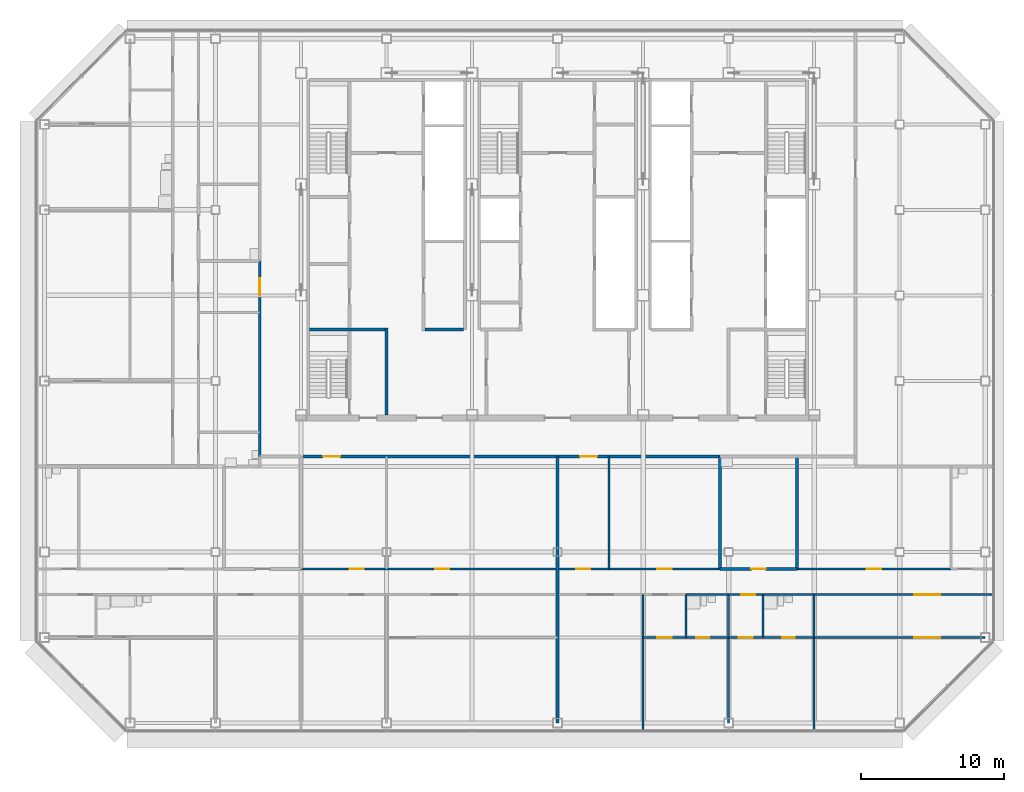
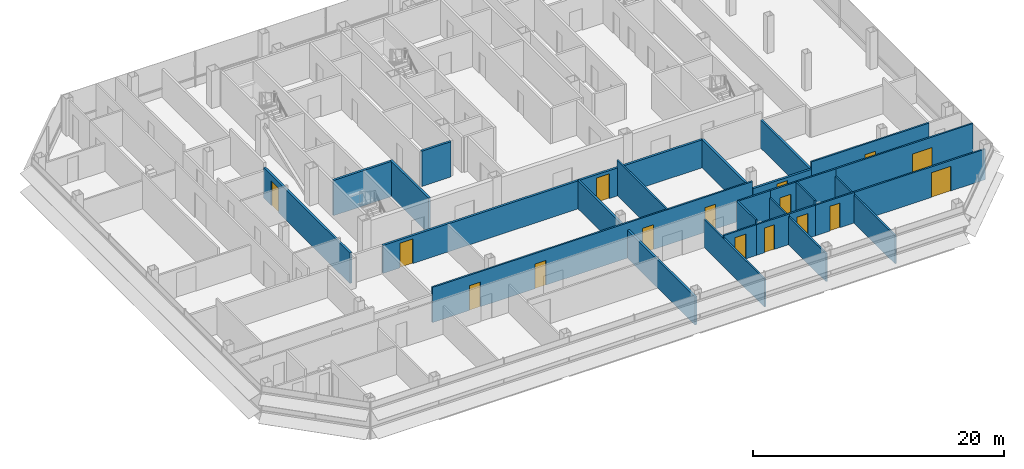
# One storey, part 21 of 27: 28 walls, 16 doors, 16 openings.
"""IFC4 building model written with IfcOpenShell, lengths in metres."""

import ifcopenshell
import ifcopenshell.guid

model = None  # the IFC model being written
_history = None  # IfcOwnerHistory: only IFC2X3 demands one
_inside = {}  # id of a spatial element -> (the spatial element, [elements in it])
_under = {}  # id of a project, library or spatial element -> (it, [spatial elements below it])
_declared = {}  # id of a project -> (the project, [libraries it declares])
_typed = {}  # id of a type object -> (the type object, [elements of that type])
_made_of = {}  # id of a material, layer set ... -> (it, [elements and type objects made of it])


def new_model(schema):
    """Start an empty IFC model of exactly this schema.

    Asked for "IFC4X3", IfcOpenShell would pick the latest addendum, in which some entities
    have other attributes; the version numbers below select the first issue.
    IFC2X3 requires an IfcOwnerHistory on every rooted entity: one is made here for all.
    """
    global model, _history
    if schema == "IFC4X3":
        model = ifcopenshell.file(schema_version=(4, 3, 0, 0))
    else:
        model = ifcopenshell.file(schema=schema)
    _inside.clear()
    _under.clear()
    _declared.clear()
    _typed.clear()
    _made_of.clear()
    _history = None
    if model.schema == "IFC2X3":
        org = make("IfcOrganization", Name="unknown")
        user = make(
            "IfcPersonAndOrganization",
            ThePerson=make("IfcPerson", FamilyName="unknown"),
            TheOrganization=org,
        )
        app = make(
            "IfcApplication",
            ApplicationDeveloper=org,
            Version="unknown",
            ApplicationFullName="unknown",
            ApplicationIdentifier="unknown",
        )
        _history = make(
            "IfcOwnerHistory",
            OwningUser=user,
            OwningApplication=app,
            ChangeAction="ADDED",
            CreationDate=0,
        )
    return model


def make(cls, **values):
    """One entity of the class cls with the attributes given. An attribute that is None is left unset."""
    return model.create_entity(
        cls, **{name: value for name, value in values.items() if value is not None}
    )


def rooted(cls, **values):
    """An entity with a GlobalId (a new one), such as an element, a storey or a relation."""
    return make(cls, GlobalId=ifcopenshell.guid.new(), OwnerHistory=_history, **values)


def si_unit(unit_type, name, prefix=None):
    """IfcSIUnit, for example si_unit("LENGTHUNIT", "METRE", prefix="MILLI")."""
    return make("IfcSIUnit", UnitType=unit_type, Prefix=prefix, Name=name)


def assignment(units):
    """IfcUnitAssignment: the units of a project."""
    return None if units is None else make("IfcUnitAssignment", Units=units)


def point(xyz):
    """IfcCartesianPoint."""
    return None if xyz is None else make("IfcCartesianPoint", Coordinates=xyz)


def direction(xyz):
    """IfcDirection."""
    return None if xyz is None else make("IfcDirection", DirectionRatios=xyz)


def frame(location, z_axis=None, x_axis=None):
    """IfcAxis2Placement3D, a coordinate frame: its origin and axes. An axis left out is left unset."""
    return make(
        "IfcAxis2Placement3D",
        Location=point(location),
        Axis=direction(z_axis),
        RefDirection=direction(x_axis),
    )


def frame_2d(location, x_axis=None):
    """IfcAxis2Placement2D, a coordinate frame in the plane: its origin and x axis."""
    return make(
        "IfcAxis2Placement2D", Location=point(location), RefDirection=direction(x_axis)
    )


def origin():
    """The frame at (0, 0, 0) with its axes left unset."""
    return frame((0.0, 0.0, 0.0))


def place(relative_to, where):
    """IfcLocalPlacement: puts the frame where relative to a parent placement (None: the world)."""
    return make(
        "IfcLocalPlacement", PlacementRelTo=relative_to, RelativePlacement=where
    )


def context(
    kind, dimensions, precision=None, world=None, true_north=None, identifier=None
):
    """IfcGeometricRepresentationContext, for example the 3D "Model" context."""
    return make(
        "IfcGeometricRepresentationContext",
        ContextIdentifier=identifier,
        ContextType=kind,
        CoordinateSpaceDimension=dimensions,
        Precision=precision,
        WorldCoordinateSystem=world,
        TrueNorth=true_north,
    )


def subcontext(parent, identifier, kind, view, scale=None):
    """IfcGeometricRepresentationSubContext, for example "Body" below "Model"."""
    return make(
        "IfcGeometricRepresentationSubContext",
        ContextIdentifier=identifier,
        ContextType=kind,
        ParentContext=parent,
        TargetScale=scale,
        TargetView=view,
    )


def project(units=None, contexts=None):
    """IfcProject with its units and contexts."""
    return rooted(
        "IfcProject",
        Name="project",
        RepresentationContexts=contexts,
        UnitsInContext=assignment(units),
    )


def spatial(cls, under=None, at=None, **own):
    """A site, building, storey or space (cls), placed at a placement, below another one or the project."""
    s = rooted(cls, ObjectPlacement=at, **own)
    if under is not None:
        _under.setdefault(under.id(), (under, []))[1].append(s)
    return s


def profile(cls, at=None, kind="AREA", **sizes):
    """A parametric profile (cls). Its sizes go by their IFC names, for example OverallWidth=200.0."""
    return make(cls, ProfileType=kind, Position=at, **sizes)


def rectangle(**sizes):
    """IfcRectangleProfileDef."""
    return profile("IfcRectangleProfileDef", **sizes)


def extrude(swept, where, along, depth):
    """IfcExtrudedAreaSolid: the profile swept, set in the frame where, extruded along a direction by depth."""
    return make(
        "IfcExtrudedAreaSolid",
        SweptArea=swept,
        Position=where,
        ExtrudedDirection=direction(along),
        Depth=depth,
    )


def shape(context_of_items, identifier, shape_type, items):
    """IfcShapeRepresentation: the items that make up one representation, for example the "Body"."""
    return make(
        "IfcShapeRepresentation",
        ContextOfItems=context_of_items,
        RepresentationIdentifier=identifier,
        RepresentationType=shape_type,
        Items=items,
    )


def material(Name=None, Category=None):
    """IfcMaterial."""
    return make("IfcMaterial", Name=Name, Category=Category)


def layer(
    of_material, thickness, ventilated=None, Name=None, Category=None, Priority=None
):
    """IfcMaterialLayer: one layer of a wall or slab, of a material (None: an air gap)."""
    return make(
        "IfcMaterialLayer",
        Material=of_material,
        LayerThickness=thickness,
        IsVentilated=ventilated,
        Name=Name,
        Category=Category,
        Priority=Priority,
    )


def layer_set(layers, Name=None):
    """IfcMaterialLayerSet."""
    return make("IfcMaterialLayerSet", MaterialLayers=layers, LayerSetName=Name)


def made_of(thing, what):
    """Note that an element or type object is made of a material, layer set ...; save() writes the relation."""
    if what is not None:
        _made_of.setdefault(what.id(), (what, []))[1].append(thing)
    return thing


def type_object(cls, material=None, **own):
    """A type object (cls), such as IfcWallType, which elements share."""
    return made_of(rooted(cls, **own), material)


def element(
    cls,
    number,
    at=None,
    inside=None,
    cuts=None,
    type_object=None,
    material=None,
    context=None,
    identifier="Body",
    shape_type=None,
    held_by="IfcProductDefinitionShape",
    body=None,
    shapes=None,
    **own,
):
    """One element of the class cls, such as IfcWall. Its Tag is "e" and its number.

    at: its placement. inside: the storey or other place that contains it. cuts: it is an
    opening in that element (IfcRelVoidsElement). A single representation is given by context,
    identifier, shape_type and body (its items); several are given by shapes. held_by: the class
    of the entity that holds the representations. save() writes the other relations.
    """
    e = rooted(cls, Tag="e%d" % number, ObjectPlacement=at, **own)
    if body is not None:
        shapes = [shape(context, identifier, shape_type, body)]
    if shapes is not None:
        e.Representation = make(held_by, Representations=shapes)
    if inside is not None:
        _inside.setdefault(inside.id(), (inside, []))[1].append(e)
    if cuts is not None:
        rooted(
            "IfcRelVoidsElement", RelatingBuildingElement=cuts, RelatedOpeningElement=e
        )
    if type_object is not None:
        _typed.setdefault(type_object.id(), (type_object, []))[1].append(e)
    return made_of(e, material)


def fill(opening, filler):
    """IfcRelFillsElement: the door or window that sits in an opening."""
    return rooted(
        "IfcRelFillsElement",
        RelatingOpeningElement=opening,
        RelatedBuildingElement=filler,
    )


def aggregate(whole, parts):
    """IfcRelAggregates: a whole, such as a stair, and the parts it consists of."""
    return rooted("IfcRelAggregates", RelatingObject=whole, RelatedObjects=parts)


def save(model, path):
    """Write the relations noted so far, then the file.

    IfcRelAggregates (storeys below a building ...), IfcRelContainedInSpatialStructure (elements
    in a storey), IfcRelDefinesByType, IfcRelAssociatesMaterial and IfcRelDeclares: one each for
    every whole, place, type object, material and project.
    """
    for whole, parts in _under.values():
        aggregate(whole, parts)
    for where, things in _inside.values():
        rooted(
            "IfcRelContainedInSpatialStructure",
            RelatedElements=things,
            RelatingStructure=where,
        )
    for kind, things in _typed.values():
        rooted("IfcRelDefinesByType", RelatedObjects=things, RelatingType=kind)
    for what, things in _made_of.values():
        rooted("IfcRelAssociatesMaterial", RelatedObjects=things, RelatingMaterial=what)
    for by, libraries in _declared.values():
        rooted("IfcRelDeclares", RelatingContext=by, RelatedDefinitions=libraries)
    model.write(path)


model = new_model("IFC4")

# Units and contexts
model_context = context("Model", 3, precision=1e-05, world=origin(), true_north=direction((0.0, 1.0)))
body_context = subcontext(model_context, "Body", "Model", "MODEL_VIEW")
ifc_project = project(units=[si_unit("LENGTHUNIT", "METRE"), si_unit("AREAUNIT", "SQUARE_METRE"), si_unit("VOLUMEUNIT", "CUBIC_METRE"), si_unit("PLANEANGLEUNIT", "RADIAN"), si_unit("MASSUNIT", "GRAM", prefix="KILO")], contexts=[model_context])

# Site, building, storey
site_placement = place(None, origin())
site = spatial("IfcSite", under=ifc_project, at=site_placement, CompositionType="ELEMENT")
building_placement = place(site_placement, origin())
building = spatial("IfcBuilding", under=site, at=building_placement, Name="Sorahane Residences", CompositionType="ELEMENT")
storey_placement = place(building_placement, frame((0.0, 0.0, 239.60009765625)))
storey = spatial("IfcBuildingStorey", under=building, at=storey_placement, Name="L56", CompositionType="ELEMENT", Elevation=239.60009765625)

# Wall, opening, door
ifc_material_1 = material(Name="Concrete blockwork C20 wall", Category="masonry")
ifc_layer_1 = layer(ifc_material_1, 0.199951171875)
ifc_layer_set_1 = layer_set([ifc_layer_1], Name="Corridor wall 200 EI 120")
wall_type_1 = type_object("IfcWallType", Name="Corridor wall 200 EI 120", PredefinedType="SOLIDWALL", material=ifc_layer_set_1)
wall_1_placement = place(storey_placement, frame((3.10009765625, 18.699951171875, 0.0), z_axis=(0.0, 0.0, 1.0), x_axis=(0.0, 1.0, 0.0)))
wall_1 = element("IfcWall", 1, at=wall_1_placement, inside=storey, type_object=wall_type_1, Name="L56 corridor wall", PredefinedType="SOLIDWALL", context=body_context, shape_type="SweptSolid", body=[
    extrude(rectangle(XDim=13.699951171875, YDim=0.199951171875, at=frame_2d((6.85009765625, 0.0))), origin(), (0.0, 0.0, 1.0), 2.969970703125),
])
opening_1_placement = place(wall_1_placement, frame((11.300048828125, 0.0, 0.0)))
opening_1 = element("IfcOpeningElement", 2, at=opening_1_placement, cuts=wall_1, Name="Opening L56-42", PredefinedType="OPENING", context=body_context, shape_type="SweptSolid", body=[
    extrude(rectangle(XDim=1.199951171875, YDim=2.39990234375, at=frame_2d((0.60009765625, 1.199951171875))), frame((0.0, 0.10986328125, 0.0), z_axis=(0.0, -1.0, 0.0), x_axis=(1.0, 0.0, 0.0)), (0.0, 0.0, 1.0), 0.219970703125),
])
ifc_material_2 = material(Name="Timber veneered fire door", Category="wood")
door_type_1 = type_object("IfcDoorType", Name="Flat entrance door 1200x2400 FD60", OperationType="NOTDEFINED", PredefinedType="DOOR", material=ifc_material_2)
door_1_placement = place(opening_1_placement, origin())
door_1 = element("IfcDoor", 3, at=door_1_placement, inside=storey, type_object=door_type_1, Name="Flat entrance door L56-42", OperationType="SINGLE_SWING_LEFT", OverallHeight=2.39990234375, OverallWidth=1.199951171875, PredefinedType="DOOR", context=body_context, shape_type="SweptSolid", body=[
    extrude(rectangle(XDim=1.199951171875, YDim=2.39990234375, at=frame_2d((0.60009765625, 1.199951171875))), frame((0.0, 0.02490234375, 0.0), z_axis=(0.0, -1.0, 0.0), x_axis=(1.0, 0.0, 0.0)), (0.0, 0.0, 1.0), 0.050048828125),
])
fill(opening_1, door_1)

# Wall, openings, doors
wall_2_placement = place(storey_placement, frame((6.0, 18.699951171875, 0.0), z_axis=(0.0, 0.0, 1.0), x_axis=(1.0, 0.0, 0.0)))
wall_2 = element("IfcWall", 4, at=wall_2_placement, inside=storey, type_object=wall_type_1, Name="L56 corridor wall", PredefinedType="SOLIDWALL", context=body_context, shape_type="SweptSolid", body=[
    extrude(rectangle(XDim=29.39990234375, YDim=0.199951171875, at=frame_2d((14.699951171875, 0.0))), origin(), (0.0, 0.0, 1.0), 2.719970703125),
])
opening_2_placement = place(wall_2_placement, frame((1.5400390625, 0.0, 0.0)))
opening_2 = element("IfcOpeningElement", 5, at=opening_2_placement, cuts=wall_2, Name="Opening L56-40", PredefinedType="OPENING", context=body_context, shape_type="SweptSolid", body=[
    extrude(rectangle(XDim=1.199951171875, YDim=2.39990234375, at=frame_2d((0.60009765625, 1.199951171875))), frame((0.0, 0.10986328125, 0.0), z_axis=(0.0, -1.0, 0.0), x_axis=(1.0, 0.0, 0.0)), (0.0, 0.0, 1.0), 0.219970703125),
])
opening_3_placement = place(wall_2_placement, frame((19.580078125, 0.0, 0.0)))
opening_3 = element("IfcOpeningElement", 6, at=opening_3_placement, cuts=wall_2, Name="Opening L56-41", PredefinedType="OPENING", context=body_context, shape_type="SweptSolid", body=[
    extrude(rectangle(XDim=1.199951171875, YDim=2.39990234375, at=frame_2d((0.60009765625, 1.199951171875))), frame((0.0, 0.10986328125, 0.0), z_axis=(0.0, -1.0, 0.0), x_axis=(1.0, 0.0, 0.0)), (0.0, 0.0, 1.0), 0.219970703125),
])
door_2_placement = place(opening_2_placement, frame((1.199951171875, 0.0, 0.0), z_axis=(0.0, 0.0, 1.0), x_axis=(-1.0, 0.0, 0.0)))
door_2 = element("IfcDoor", 7, at=door_2_placement, inside=storey, type_object=door_type_1, Name="Flat entrance door L56-40", OperationType="SINGLE_SWING_LEFT", OverallHeight=2.39990234375, OverallWidth=1.199951171875, PredefinedType="DOOR", context=body_context, shape_type="SweptSolid", body=[
    extrude(rectangle(XDim=1.199951171875, YDim=2.39990234375, at=frame_2d((0.60009765625, 1.199951171875))), frame((0.0, 0.02490234375, 0.0), z_axis=(0.0, -1.0, 0.0), x_axis=(1.0, 0.0, 0.0)), (0.0, 0.0, 1.0), 0.050048828125),
])
fill(opening_2, door_2)
door_3_placement = place(opening_3_placement, frame((1.199951171875, 0.0, 0.0), z_axis=(0.0, 0.0, 1.0), x_axis=(-1.0, 0.0, 0.0)))
door_3 = element("IfcDoor", 8, at=door_3_placement, inside=storey, type_object=door_type_1, Name="Flat entrance door L56-41", OperationType="SINGLE_SWING_RIGHT", OverallHeight=2.39990234375, OverallWidth=1.199951171875, PredefinedType="DOOR", context=body_context, shape_type="SweptSolid", body=[
    extrude(rectangle(XDim=1.199951171875, YDim=2.39990234375, at=frame_2d((0.60009765625, 1.199951171875))), frame((0.0, 0.02490234375, 0.0), z_axis=(0.0, -1.0, 0.0), x_axis=(1.0, 0.0, 0.0)), (0.0, 0.0, 1.0), 0.050048828125),
])
fill(opening_3, door_3)

# Walls
ifc_material_3 = material(Name="Concrete C30", Category="concrete")
ifc_layer_2 = layer(ifc_material_3, 0.199951171875)
ifc_layer_set_2 = layer_set([ifc_layer_2], Name="Front room wall 200 EI 120")
wall_type_2 = type_object("IfcWallType", Name="Front room wall 200 EI 120", PredefinedType="PARTITIONING", material=ifc_layer_set_2)
wall_3_placement = place(storey_placement, frame((12.0, 21.60009765625, 0.0), z_axis=(0.0, 0.0, 1.0), x_axis=(0.0, 1.0, 0.0)))
element("IfcWall", 9, at=wall_3_placement, inside=storey, type_object=wall_type_2, Name="L56 front room wall", PredefinedType="PARTITIONING", context=body_context, shape_type="SweptSolid", body=[
    extrude(rectangle(XDim=6.099853515625, YDim=0.199951171875, at=frame_2d((3.0498046875, 0.0))), origin(), (0.0, 0.0, 1.0), 3.419921875),
])
ifc_material_4 = material(Name="Concrete blockwork C20 wall", Category="masonry")
ifc_layer_3 = layer(ifc_material_4, 0.199951171875)
ifc_layer_set_3 = layer_set([ifc_layer_3], Name="Kitchen wall 200 EI 180")
wall_type_3 = type_object("IfcWallType", Name="Kitchen wall 200 EI 180", PredefinedType="SOLIDWALL", material=ifc_layer_set_3)
for number, where, z_axis, x_axis, name in (
    (10, (35.39990234375, 10.800048828125, 0.0), (0.0, 0.0, 1.0), (0.0, 1.0, 0.0), "L56 kitchen wall"),
    (11, (40.800048828125, 10.800048828125, 0.0), (0.0, 0.0, 1.0), (0.0, 1.0, 0.0), "L56 kitchen wall"),
):
    element("IfcWall", number, at=place(storey_placement, frame(where, z_axis=z_axis, x_axis=x_axis)), inside=storey, type_object=wall_type_3, Name=name, PredefinedType="SOLIDWALL", context=body_context, shape_type="SweptSolid", body=[
        extrude(rectangle(XDim=7.89990234375, YDim=0.199951171875, at=frame_2d((3.949951171875, 0.0))), origin(), (0.0, 0.0, 1.0), 2.719970703125),
    ])

# Wall, opening, door
wall_4_placement = place(storey_placement, frame((35.39990234375, 10.800048828125, 0.0), z_axis=(0.0, 0.0, 1.0), x_axis=(1.0, 0.0, 0.0)))
wall_4 = element("IfcWall", 12, at=wall_4_placement, inside=storey, type_object=wall_type_3, Name="L56 kitchen wall", PredefinedType="SOLIDWALL", context=body_context, shape_type="SweptSolid", body=[
    extrude(rectangle(XDim=5.400146484375, YDim=0.199951171875, at=frame_2d((2.7001953125, 0.0))), origin(), (0.0, 0.0, 1.0), 2.719970703125),
])
opening_4_placement = place(wall_4_placement, frame((2.199951171875, 0.0, 0.0)))
opening_4 = element("IfcOpeningElement", 13, at=opening_4_placement, cuts=wall_4, Name="Opening L56-16", PredefinedType="OPENING", context=body_context, shape_type="SweptSolid", body=[
    extrude(rectangle(XDim=1.0, YDim=2.39990234375, at=frame_2d((0.5, 1.199951171875))), frame((0.0, 0.10986328125, 0.0), z_axis=(0.0, -1.0, 0.0), x_axis=(1.0, 0.0, 0.0)), (0.0, 0.0, 1.0), 0.219970703125),
])
ifc_material_5 = material(Name="Steel", Category="steel")
door_type_2 = type_object("IfcDoorType", Name="Kitchen door 1000x2400 FD120", OperationType="NOTDEFINED", PredefinedType="DOOR", material=ifc_material_5)
door_4_placement = place(opening_4_placement, origin())
door_4 = element("IfcDoor", 14, at=door_4_placement, inside=storey, type_object=door_type_2, Name="Kitchen door L56-16", OperationType="SINGLE_SWING_LEFT", OverallHeight=2.39990234375, OverallWidth=1.0, PredefinedType="DOOR", context=body_context, shape_type="SweptSolid", body=[
    extrude(rectangle(XDim=1.0, YDim=2.39990234375, at=frame_2d((0.5, 1.199951171875))), frame((0.0, 0.02490234375, 0.0), z_axis=(0.0, -1.0, 0.0), x_axis=(1.0, 0.0, 0.0)), (0.0, 0.0, 1.0), 0.050048828125),
])
fill(opening_4, door_4)

# Walls
ifc_material_6 = material(Name="Gypsum board partition on steel studs", Category="steel")
ifc_layer_4 = layer(ifc_material_6, 0.14990234375)
ifc_layer_set_4 = layer_set([ifc_layer_4], Name="Partition 150 EI 90")
wall_type_4 = type_object("IfcWallType", Name="Partition 150 EI 90", PredefinedType="PARTITIONING", material=ifc_layer_set_4)
wall_5_placement = place(storey_placement, frame((27.60009765625, 10.800048828125, 0.0), z_axis=(0.0, 0.0, 1.0), x_axis=(0.0, 1.0, 0.0)))
element("IfcWall", 15, at=wall_5_placement, inside=storey, type_object=wall_type_4, Name="L56 partition", PredefinedType="PARTITIONING", context=body_context, shape_type="SweptSolid", body=[
    extrude(rectangle(XDim=7.89990234375, YDim=0.14990234375, at=frame_2d((3.949951171875, 0.0))), origin(), (0.0, 0.0, 1.0), 3.419921875),
])
wall_6_placement = place(storey_placement, frame((30.0, -0.60009765625, 0.0), z_axis=(0.0, 0.0, 1.0), x_axis=(0.0, 1.0, 0.0)))
element("IfcWall", 16, at=wall_6_placement, inside=storey, type_object=wall_type_4, Name="L56 partition", PredefinedType="PARTITIONING", context=body_context, shape_type="SweptSolid", body=[
    extrude(rectangle(XDim=9.60009765625, YDim=0.14990234375, at=frame_2d((4.800048828125, 0.0))), origin(), (0.0, 0.0, 1.0), 2.719970703125),
])
wall_7_placement = place(storey_placement, frame((36.0, 0.0, 0.0), z_axis=(0.0, 0.0, 1.0), x_axis=(0.0, 1.0, 0.0)))
element("IfcWall", 17, at=wall_7_placement, inside=storey, type_object=wall_type_4, Name="L56 partition", PredefinedType="PARTITIONING", context=body_context, shape_type="SweptSolid", body=[
    extrude(rectangle(XDim=6.0, YDim=0.14990234375, at=frame_2d((3.0, 0.0))), origin(), (0.0, 0.0, 1.0), 2.719970703125),
])
wall_8_placement = place(storey_placement, frame((42.0, -0.60009765625, 0.0), z_axis=(0.0, 0.0, 1.0), x_axis=(0.0, 1.0, 0.0)))
element("IfcWall", 18, at=wall_8_placement, inside=storey, type_object=wall_type_4, Name="L56 partition", PredefinedType="PARTITIONING", context=body_context, shape_type="SweptSolid", body=[
    extrude(rectangle(XDim=6.60009765625, YDim=0.14990234375, at=frame_2d((3.300048828125, 0.0))), origin(), (0.0, 0.0, 1.0), 2.719970703125),
])

# Wall, openings, doors
wall_9_placement = place(storey_placement, frame((6.0, 10.800048828125, 0.0), z_axis=(0.0, 0.0, 1.0), x_axis=(1.0, 0.0, 0.0)))
wall_9 = element("IfcWall", 19, at=wall_9_placement, inside=storey, type_object=wall_type_4, Name="L56 partition", PredefinedType="PARTITIONING", context=body_context, shape_type="SweptSolid", body=[
    extrude(rectangle(XDim=29.39990234375, YDim=0.14990234375, at=frame_2d((14.699951171875, 0.0))), origin(), (0.0, 0.0, 1.0), 3.419921875),
])
opening_5_placement = place(wall_9_placement, frame((3.39990234375, 0.0, 0.0)))
opening_5 = element("IfcOpeningElement", 20, at=opening_5_placement, cuts=wall_9, Name="Opening L56-01", PredefinedType="OPENING", context=body_context, shape_type="SweptSolid", body=[
    extrude(rectangle(XDim=1.0, YDim=2.39990234375, at=frame_2d((0.5, 1.199951171875))), frame((0.0, 0.0849609375, 0.0), z_axis=(0.0, -1.0, 0.0), x_axis=(1.0, 0.0, 0.0)), (0.0, 0.0, 1.0), 0.169921875),
])
opening_6_placement = place(wall_9_placement, frame((9.39990234375, 0.0, 0.0)))
opening_6 = element("IfcOpeningElement", 21, at=opening_6_placement, cuts=wall_9, Name="Opening L56-05", PredefinedType="OPENING", context=body_context, shape_type="SweptSolid", body=[
    extrude(rectangle(XDim=1.0, YDim=2.39990234375, at=frame_2d((0.5, 1.199951171875))), frame((0.0, 0.0849609375, 0.0), z_axis=(0.0, -1.0, 0.0), x_axis=(1.0, 0.0, 0.0)), (0.0, 0.0, 1.0), 0.169921875),
])
opening_7_placement = place(wall_9_placement, frame((19.300048828125, 0.0, 0.0)))
opening_7 = element("IfcOpeningElement", 22, at=opening_7_placement, cuts=wall_9, Name="Opening L56-14", PredefinedType="OPENING", context=body_context, shape_type="SweptSolid", body=[
    extrude(rectangle(XDim=1.0, YDim=2.39990234375, at=frame_2d((0.5, 1.199951171875))), frame((0.0, 0.0849609375, 0.0), z_axis=(0.0, -1.0, 0.0), x_axis=(1.0, 0.0, 0.0)), (0.0, 0.0, 1.0), 0.169921875),
])
opening_8_placement = place(wall_9_placement, frame((25.0, 0.0, 0.0)))
opening_8 = element("IfcOpeningElement", 23, at=opening_8_placement, cuts=wall_9, Name="Opening L56-15", PredefinedType="OPENING", context=body_context, shape_type="SweptSolid", body=[
    extrude(rectangle(XDim=1.0, YDim=2.39990234375, at=frame_2d((0.5, 1.199951171875))), frame((0.0, 0.0849609375, 0.0), z_axis=(0.0, -1.0, 0.0), x_axis=(1.0, 0.0, 0.0)), (0.0, 0.0, 1.0), 0.169921875),
])
ifc_material_7 = material(Name="Timber veneered fire door", Category="wood")
door_type_3 = type_object("IfcDoorType", Name="Room door 1000x2400 FD30", OperationType="NOTDEFINED", PredefinedType="DOOR", material=ifc_material_7)
door_5_placement = place(opening_5_placement, frame((1.0, 0.0, 0.0), z_axis=(0.0, 0.0, 1.0), x_axis=(-1.0, 0.0, 0.0)))
door_5 = element("IfcDoor", 24, at=door_5_placement, inside=storey, type_object=door_type_3, Name="Room door L56-01", OperationType="SINGLE_SWING_LEFT", OverallHeight=2.39990234375, OverallWidth=1.0, PredefinedType="DOOR", context=body_context, shape_type="SweptSolid", body=[
    extrude(rectangle(XDim=1.0, YDim=2.39990234375, at=frame_2d((0.5, 1.199951171875))), frame((0.0, 0.02490234375, 0.0), z_axis=(0.0, -1.0, 0.0), x_axis=(1.0, 0.0, 0.0)), (0.0, 0.0, 1.0), 0.050048828125),
])
fill(opening_5, door_5)
door_6_placement = place(opening_6_placement, origin())
door_6 = element("IfcDoor", 25, at=door_6_placement, inside=storey, type_object=door_type_3, Name="Room door L56-05", OperationType="SINGLE_SWING_LEFT", OverallHeight=2.39990234375, OverallWidth=1.0, PredefinedType="DOOR", context=body_context, shape_type="SweptSolid", body=[
    extrude(rectangle(XDim=1.0, YDim=2.39990234375, at=frame_2d((0.5, 1.199951171875))), frame((0.0, 0.02490234375, 0.0), z_axis=(0.0, -1.0, 0.0), x_axis=(1.0, 0.0, 0.0)), (0.0, 0.0, 1.0), 0.050048828125),
])
fill(opening_6, door_6)
door_7_placement = place(opening_7_placement, frame((1.0, 0.0, 0.0), z_axis=(0.0, 0.0, 1.0), x_axis=(-1.0, 0.0, 0.0)))
door_7 = element("IfcDoor", 26, at=door_7_placement, inside=storey, type_object=door_type_3, Name="Room door L56-14", OperationType="SINGLE_SWING_LEFT", OverallHeight=2.39990234375, OverallWidth=1.0, PredefinedType="DOOR", context=body_context, shape_type="SweptSolid", body=[
    extrude(rectangle(XDim=1.0, YDim=2.39990234375, at=frame_2d((0.5, 1.199951171875))), frame((0.0, 0.02490234375, 0.0), z_axis=(0.0, -1.0, 0.0), x_axis=(1.0, 0.0, 0.0)), (0.0, 0.0, 1.0), 0.050048828125),
])
fill(opening_7, door_7)
door_8_placement = place(opening_8_placement, origin())
door_8 = element("IfcDoor", 27, at=door_8_placement, inside=storey, type_object=door_type_3, Name="Room door L56-15", OperationType="SINGLE_SWING_LEFT", OverallHeight=2.39990234375, OverallWidth=1.0, PredefinedType="DOOR", context=body_context, shape_type="SweptSolid", body=[
    extrude(rectangle(XDim=1.0, YDim=2.39990234375, at=frame_2d((0.5, 1.199951171875))), frame((0.0, 0.02490234375, 0.0), z_axis=(0.0, -1.0, 0.0), x_axis=(1.0, 0.0, 0.0)), (0.0, 0.0, 1.0), 0.050048828125),
])
fill(opening_8, door_8)

# Wall, opening, door
wall_10_placement = place(storey_placement, frame((40.800048828125, 10.800048828125, 0.0), z_axis=(0.0, 0.0, 1.0), x_axis=(1.0, 0.0, 0.0)))
wall_10 = element("IfcWall", 28, at=wall_10_placement, inside=storey, type_object=wall_type_4, Name="L56 partition", PredefinedType="PARTITIONING", context=body_context, shape_type="SweptSolid", body=[
    extrude(rectangle(XDim=10.800048828125, YDim=0.14990234375, at=frame_2d((5.39990234375, 0.0))), origin(), (0.0, 0.0, 1.0), 3.419921875),
])
opening_9_placement = place(wall_10_placement, frame((4.89990234375, 0.0, 0.0)))
opening_9 = element("IfcOpeningElement", 29, at=opening_9_placement, cuts=wall_10, Name="Opening L56-17", PredefinedType="OPENING", context=body_context, shape_type="SweptSolid", body=[
    extrude(rectangle(XDim=1.0, YDim=2.39990234375, at=frame_2d((0.5, 1.199951171875))), frame((0.0, 0.0849609375, 0.0), z_axis=(0.0, -1.0, 0.0), x_axis=(1.0, 0.0, 0.0)), (0.0, 0.0, 1.0), 0.169921875),
])
door_9_placement = place(opening_9_placement, origin())
door_9 = element("IfcDoor", 30, at=door_9_placement, inside=storey, type_object=door_type_3, Name="Room door L56-17", OperationType="SINGLE_SWING_RIGHT", OverallHeight=2.39990234375, OverallWidth=1.0, PredefinedType="DOOR", context=body_context, shape_type="SweptSolid", body=[
    extrude(rectangle(XDim=1.0, YDim=2.39990234375, at=frame_2d((0.5, 1.199951171875))), frame((0.0, 0.02490234375, 0.0), z_axis=(0.0, -1.0, 0.0), x_axis=(1.0, 0.0, 0.0)), (0.0, 0.0, 1.0), 0.050048828125),
])
fill(opening_9, door_9)

wall_11_placement = place(storey_placement, frame((30.0, 6.0, 0.0), z_axis=(0.0, 0.0, 1.0), x_axis=(1.0, 0.0, 0.0)))
wall_11 = element("IfcWall", 31, at=wall_11_placement, inside=storey, type_object=wall_type_4, Name="L56 partition", PredefinedType="PARTITIONING", context=body_context, shape_type="SweptSolid", body=[
    extrude(rectangle(XDim=3.0, YDim=0.14990234375, at=frame_2d((1.5, 0.0))), origin(), (0.0, 0.0, 1.0), 2.969970703125),
])
opening_10_placement = place(wall_11_placement, frame((1.0, 0.0, 0.0)))
opening_10 = element("IfcOpeningElement", 32, at=opening_10_placement, cuts=wall_11, Name="Opening L56-23", PredefinedType="OPENING", context=body_context, shape_type="SweptSolid", body=[
    extrude(rectangle(XDim=1.0, YDim=2.39990234375, at=frame_2d((0.5, 1.199951171875))), frame((0.0, 0.0849609375, 0.0), z_axis=(0.0, -1.0, 0.0), x_axis=(1.0, 0.0, 0.0)), (0.0, 0.0, 1.0), 0.169921875),
])
door_10_placement = place(opening_10_placement, frame((1.0, 0.0, 0.0), z_axis=(0.0, 0.0, 1.0), x_axis=(-1.0, 0.0, 0.0)))
door_10 = element("IfcDoor", 33, at=door_10_placement, inside=storey, type_object=door_type_3, Name="Room door L56-23", OperationType="SINGLE_SWING_LEFT", OverallHeight=2.39990234375, OverallWidth=1.0, PredefinedType="DOOR", context=body_context, shape_type="SweptSolid", body=[
    extrude(rectangle(XDim=1.0, YDim=2.39990234375, at=frame_2d((0.5, 1.199951171875))), frame((0.0, 0.02490234375, 0.0), z_axis=(0.0, -1.0, 0.0), x_axis=(1.0, 0.0, 0.0)), (0.0, 0.0, 1.0), 0.050048828125),
])
fill(opening_10, door_10)

wall_12_placement = place(storey_placement, frame((36.0, 6.0, 0.0), z_axis=(0.0, 0.0, 1.0), x_axis=(1.0, 0.0, 0.0)))
wall_12 = element("IfcWall", 34, at=wall_12_placement, inside=storey, type_object=wall_type_4, Name="L56 partition", PredefinedType="PARTITIONING", context=body_context, shape_type="SweptSolid", body=[
    extrude(rectangle(XDim=2.39990234375, YDim=0.14990234375, at=frame_2d((1.199951171875, 0.0))), origin(), (0.0, 0.0, 1.0), 2.969970703125),
])
opening_11_placement = place(wall_12_placement, frame((0.699951171875, 0.0, 0.0)))
opening_11 = element("IfcOpeningElement", 35, at=opening_11_placement, cuts=wall_12, Name="Opening L56-25", PredefinedType="OPENING", context=body_context, shape_type="SweptSolid", body=[
    extrude(rectangle(XDim=1.0, YDim=2.39990234375, at=frame_2d((0.5, 1.199951171875))), frame((0.0, 0.0849609375, 0.0), z_axis=(0.0, -1.0, 0.0), x_axis=(1.0, 0.0, 0.0)), (0.0, 0.0, 1.0), 0.169921875),
])
door_11_placement = place(opening_11_placement, frame((1.0, 0.0, 0.0), z_axis=(0.0, 0.0, 1.0), x_axis=(-1.0, 0.0, 0.0)))
door_11 = element("IfcDoor", 36, at=door_11_placement, inside=storey, type_object=door_type_3, Name="Room door L56-25", OperationType="SINGLE_SWING_RIGHT", OverallHeight=2.39990234375, OverallWidth=1.0, PredefinedType="DOOR", context=body_context, shape_type="SweptSolid", body=[
    extrude(rectangle(XDim=1.0, YDim=2.39990234375, at=frame_2d((0.5, 1.199951171875))), frame((0.0, 0.02490234375, 0.0), z_axis=(0.0, -1.0, 0.0), x_axis=(1.0, 0.0, 0.0)), (0.0, 0.0, 1.0), 0.050048828125),
])
fill(opening_11, door_11)

wall_13_placement = place(storey_placement, frame((42.0, 6.0, 0.0), z_axis=(0.0, 0.0, 1.0), x_axis=(1.0, 0.0, 0.0)))
wall_13 = element("IfcWall", 37, at=wall_13_placement, inside=storey, type_object=wall_type_4, Name="L56 partition", PredefinedType="PARTITIONING", context=body_context, shape_type="SweptSolid", body=[
    extrude(rectangle(XDim=12.0, YDim=0.14990234375, at=frame_2d((6.0, 0.0))), origin(), (0.0, 0.0, 1.0), 2.969970703125),
])
opening_12_placement = place(wall_13_placement, frame((7.0400390625, 0.0, 0.0)))
opening_12 = element("IfcOpeningElement", 38, at=opening_12_placement, cuts=wall_13, Name="Opening L56-27", PredefinedType="OPENING", context=body_context, shape_type="SweptSolid", body=[
    extrude(rectangle(XDim=1.800048828125, YDim=2.39990234375, at=frame_2d((0.89990234375, 1.199951171875))), frame((0.0, 0.0849609375, 0.0), z_axis=(0.0, -1.0, 0.0), x_axis=(1.0, 0.0, 0.0)), (0.0, 0.0, 1.0), 0.169921875),
])
ifc_material_8 = material(Name="Timber veneered fire door", Category="wood")
door_type_4 = type_object("IfcDoorType", Name="Double door 1800x2400 FD30", OperationType="NOTDEFINED", PredefinedType="DOOR", material=ifc_material_8)
door_12_placement = place(opening_12_placement, frame((1.800048828125, 0.0, 0.0), z_axis=(0.0, 0.0, 1.0), x_axis=(-1.0, 0.0, 0.0)))
door_12 = element("IfcDoor", 39, at=door_12_placement, inside=storey, type_object=door_type_4, Name="Double door L56-27", OperationType="SINGLE_SWING_RIGHT", OverallHeight=2.39990234375, OverallWidth=1.800048828125, PredefinedType="DOOR", context=body_context, shape_type="SweptSolid", body=[
    extrude(rectangle(XDim=1.800048828125, YDim=2.39990234375, at=frame_2d((0.89990234375, 1.199951171875))), frame((0.0, 0.02490234375, 0.0), z_axis=(0.0, -1.0, 0.0), x_axis=(1.0, 0.0, 0.0)), (0.0, 0.0, 1.0), 0.050048828125),
])
fill(opening_12, door_12)

wall_14_placement = place(storey_placement, frame((36.0, 9.0, 0.0), z_axis=(0.0, 0.0, 1.0), x_axis=(1.0, 0.0, 0.0)))
wall_14 = element("IfcWall", 40, at=wall_14_placement, inside=storey, type_object=wall_type_4, Name="L56 partition", PredefinedType="PARTITIONING", context=body_context, shape_type="SweptSolid", body=[
    extrude(rectangle(XDim=2.39990234375, YDim=0.14990234375, at=frame_2d((1.199951171875, 0.0))), origin(), (0.0, 0.0, 1.0), 3.419921875),
])
opening_13_placement = place(wall_14_placement, frame((0.8798828125, 0.0, 0.0)))
opening_13 = element("IfcOpeningElement", 41, at=opening_13_placement, cuts=wall_14, Name="Opening L56-21", PredefinedType="OPENING", context=body_context, shape_type="SweptSolid", body=[
    extrude(rectangle(XDim=1.0, YDim=2.39990234375, at=frame_2d((0.5, 1.199951171875))), frame((0.0, 0.0849609375, 0.0), z_axis=(0.0, -1.0, 0.0), x_axis=(1.0, 0.0, 0.0)), (0.0, 0.0, 1.0), 0.169921875),
])
door_13_placement = place(opening_13_placement, frame((1.0, 0.0, 0.0), z_axis=(0.0, 0.0, 1.0), x_axis=(-1.0, 0.0, 0.0)))
door_13 = element("IfcDoor", 42, at=door_13_placement, inside=storey, type_object=door_type_3, Name="Room door L56-21", OperationType="SINGLE_SWING_RIGHT", OverallHeight=2.39990234375, OverallWidth=1.0, PredefinedType="DOOR", context=body_context, shape_type="SweptSolid", body=[
    extrude(rectangle(XDim=1.0, YDim=2.39990234375, at=frame_2d((0.5, 1.199951171875))), frame((0.0, 0.02490234375, 0.0), z_axis=(0.0, -1.0, 0.0), x_axis=(1.0, 0.0, 0.0)), (0.0, 0.0, 1.0), 0.050048828125),
])
fill(opening_13, door_13)

wall_15_placement = place(storey_placement, frame((42.0, 9.0, 0.0), z_axis=(0.0, 0.0, 1.0), x_axis=(1.0, 0.0, 0.0)))
wall_15 = element("IfcWall", 43, at=wall_15_placement, inside=storey, type_object=wall_type_4, Name="L56 partition", PredefinedType="PARTITIONING", context=body_context, shape_type="SweptSolid", body=[
    extrude(rectangle(XDim=12.60009765625, YDim=0.14990234375, at=frame_2d((6.300048828125, 0.0))), origin(), (0.0, 0.0, 1.0), 3.419921875),
])
opening_14_placement = place(wall_15_placement, frame((7.0400390625, 0.0, 0.0)))
opening_14 = element("IfcOpeningElement", 44, at=opening_14_placement, cuts=wall_15, Name="Opening L56-22", PredefinedType="OPENING", context=body_context, shape_type="SweptSolid", body=[
    extrude(rectangle(XDim=1.800048828125, YDim=2.39990234375, at=frame_2d((0.89990234375, 1.199951171875))), frame((0.0, 0.0849609375, 0.0), z_axis=(0.0, -1.0, 0.0), x_axis=(1.0, 0.0, 0.0)), (0.0, 0.0, 1.0), 0.169921875),
])
door_14_placement = place(opening_14_placement, frame((1.800048828125, 0.0, 0.0), z_axis=(0.0, 0.0, 1.0), x_axis=(-1.0, 0.0, 0.0)))
door_14 = element("IfcDoor", 45, at=door_14_placement, inside=storey, type_object=door_type_4, Name="Double door L56-22", OperationType="SINGLE_SWING_LEFT", OverallHeight=2.39990234375, OverallWidth=1.800048828125, PredefinedType="DOOR", context=body_context, shape_type="SweptSolid", body=[
    extrude(rectangle(XDim=1.800048828125, YDim=2.39990234375, at=frame_2d((0.89990234375, 1.199951171875))), frame((0.0, 0.02490234375, 0.0), z_axis=(0.0, -1.0, 0.0), x_axis=(1.0, 0.0, 0.0)), (0.0, 0.0, 1.0), 0.050048828125),
])
fill(opening_14, door_14)

# Walls
ifc_material_9 = material(Name="Concrete blockwork C20 wall", Category="masonry")
ifc_layer_5 = layer(ifc_material_9, 0.199951171875)
ifc_layer_set_5 = layer_set([ifc_layer_5], Name="Party wall 200 EI 120")
wall_type_5 = type_object("IfcWallType", Name="Party wall 200 EI 120", PredefinedType="SOLIDWALL", material=ifc_layer_set_5)
wall_16_placement = place(storey_placement, frame((24.0, 0.0, 0.0), z_axis=(0.0, 0.0, 1.0), x_axis=(0.0, 1.0, 0.0)))
element("IfcWall", 46, at=wall_16_placement, inside=storey, type_object=wall_type_5, Name="L56 party wall", PredefinedType="SOLIDWALL", context=body_context, shape_type="SweptSolid", body=[
    extrude(rectangle(XDim=18.699951171875, YDim=0.199951171875, at=frame_2d((9.35009765625, 0.0))), origin(), (0.0, 0.0, 1.0), 2.719970703125),
])
ifc_material_10 = material(Name="Concrete C30", Category="concrete")
ifc_layer_6 = layer(ifc_material_10, 0.199951171875)
ifc_layer_set_6 = layer_set([ifc_layer_6], Name="Service room partition 200 EI 60")
wall_type_6 = type_object("IfcWallType", Name="Service room partition 200 EI 60", PredefinedType="PARTITIONING", material=ifc_layer_set_6)
wall_17_placement = place(storey_placement, frame((14.699951171875, 27.60009765625, 0.0), z_axis=(0.0, 0.0, 1.0), x_axis=(1.0, 0.0, 0.0)))
element("IfcWall", 47, at=wall_17_placement, inside=storey, type_object=wall_type_6, Name="L56 service room wall", PredefinedType="PARTITIONING", context=body_context, shape_type="SweptSolid", body=[
    extrude(rectangle(XDim=2.699951171875, YDim=0.199951171875, at=frame_2d((1.35009765625, 0.0))), origin(), (0.0, 0.0, 1.0), 3.419921875),
])
ifc_material_11 = material(Name="Concrete C30", Category="concrete")
ifc_layer_7 = layer(ifc_material_11, 0.199951171875)
ifc_layer_set_7 = layer_set([ifc_layer_7], Name="Stair enclosure wall 200 EI 120")
wall_type_7 = type_object("IfcWallType", Name="Stair enclosure wall 200 EI 120", PredefinedType="SOLIDWALL", material=ifc_layer_set_7)
wall_18_placement = place(storey_placement, frame((6.60009765625, 27.60009765625, 0.0), z_axis=(0.0, 0.0, 1.0), x_axis=(1.0, 0.0, 0.0)))
element("IfcWall", 48, at=wall_18_placement, inside=storey, type_object=wall_type_7, Name="L56 stair enclosure wall", PredefinedType="SOLIDWALL", context=body_context, shape_type="SweptSolid", body=[
    extrude(rectangle(XDim=5.2998046875, YDim=0.199951171875, at=frame_2d((2.64990234375, 0.0))), origin(), (0.0, 0.0, 1.0), 3.419921875),
])
ifc_material_12 = material(Name="Gypsum board partition on steel studs", Category="steel")
ifc_layer_8 = layer(ifc_material_12, 0.14990234375)
ifc_layer_set_8 = layer_set([ifc_layer_8], Name="Wet wall 150 EI 90")
wall_type_8 = type_object("IfcWallType", Name="Wet wall 150 EI 90", PredefinedType="PARTITIONING", material=ifc_layer_set_8)
wall_19_placement = place(storey_placement, frame((33.0, 6.0, 0.0), z_axis=(0.0, 0.0, 1.0), x_axis=(0.0, 1.0, 0.0)))
element("IfcWall", 49, at=wall_19_placement, inside=storey, type_object=wall_type_8, Name="L56 wet wall", PredefinedType="PARTITIONING", context=body_context, shape_type="SweptSolid", body=[
    extrude(rectangle(XDim=3.0, YDim=0.14990234375, at=frame_2d((1.5, 0.0))), origin(), (0.0, 0.0, 1.0), 3.419921875),
])
wall_20_placement = place(storey_placement, frame((36.0, 6.0, 0.0), z_axis=(0.0, 0.0, 1.0), x_axis=(0.0, 1.0, 0.0)))
element("IfcWall", 50, at=wall_20_placement, inside=storey, type_object=wall_type_8, Name="L56 wet wall", PredefinedType="PARTITIONING", context=body_context, shape_type="SweptSolid", body=[
    extrude(rectangle(XDim=3.0, YDim=0.14990234375, at=frame_2d((1.5, 0.0))), origin(), (0.0, 0.0, 1.0), 2.719970703125),
])
wall_21_placement = place(storey_placement, frame((38.39990234375, 6.0, 0.0), z_axis=(0.0, 0.0, 1.0), x_axis=(0.0, 1.0, 0.0)))
element("IfcWall", 51, at=wall_21_placement, inside=storey, type_object=wall_type_8, Name="L56 wet wall", PredefinedType="PARTITIONING", context=body_context, shape_type="SweptSolid", body=[
    extrude(rectangle(XDim=3.0, YDim=0.14990234375, at=frame_2d((1.5, 0.0))), origin(), (0.0, 0.0, 1.0), 3.419921875),
])
wall_22_placement = place(storey_placement, frame((42.0, 6.0, 0.0), z_axis=(0.0, 0.0, 1.0), x_axis=(0.0, 1.0, 0.0)))
element("IfcWall", 52, at=wall_22_placement, inside=storey, type_object=wall_type_8, Name="L56 wet wall", PredefinedType="PARTITIONING", context=body_context, shape_type="SweptSolid", body=[
    extrude(rectangle(XDim=3.0, YDim=0.14990234375, at=frame_2d((1.5, 0.0))), origin(), (0.0, 0.0, 1.0), 2.719970703125),
])

# Wall, opening, door
wall_23_placement = place(storey_placement, frame((33.0, 6.0, 0.0), z_axis=(0.0, 0.0, 1.0), x_axis=(1.0, 0.0, 0.0)))
wall_23 = element("IfcWall", 53, at=wall_23_placement, inside=storey, type_object=wall_type_8, Name="L56 wet wall", PredefinedType="PARTITIONING", context=body_context, shape_type="SweptSolid", body=[
    extrude(rectangle(XDim=3.0, YDim=0.14990234375, at=frame_2d((1.5, 0.0))), origin(), (0.0, 0.0, 1.0), 2.969970703125),
])
opening_15_placement = place(wall_23_placement, frame((0.72998046875, 0.0, 0.0)))
opening_15 = element("IfcOpeningElement", 54, at=opening_15_placement, cuts=wall_23, Name="Opening L56-24", PredefinedType="OPENING", context=body_context, shape_type="SweptSolid", body=[
    extrude(rectangle(XDim=0.89990234375, YDim=2.39990234375, at=frame_2d((0.449951171875, 1.199951171875))), frame((0.0, 0.0849609375, 0.0), z_axis=(0.0, -1.0, 0.0), x_axis=(1.0, 0.0, 0.0)), (0.0, 0.0, 1.0), 0.169921875),
])
ifc_material_13 = material(Name="Timber veneered fire door", Category="wood")
door_type_5 = type_object("IfcDoorType", Name="Bathroom door 900x2400 FD30", OperationType="NOTDEFINED", PredefinedType="DOOR", material=ifc_material_13)
door_15_placement = place(opening_15_placement, frame((0.89990234375, 0.0, 0.0), z_axis=(0.0, 0.0, 1.0), x_axis=(-1.0, 0.0, 0.0)))
door_15 = element("IfcDoor", 55, at=door_15_placement, inside=storey, type_object=door_type_5, Name="Bathroom door L56-24", OperationType="SINGLE_SWING_RIGHT", OverallHeight=2.39990234375, OverallWidth=0.89990234375, PredefinedType="DOOR", context=body_context, shape_type="SweptSolid", body=[
    extrude(rectangle(XDim=0.89990234375, YDim=2.39990234375, at=frame_2d((0.449951171875, 1.199951171875))), frame((0.0, 0.02490234375, 0.0), z_axis=(0.0, -1.0, 0.0), x_axis=(1.0, 0.0, 0.0)), (0.0, 0.0, 1.0), 0.050048828125),
])
fill(opening_15, door_15)

wall_24_placement = place(storey_placement, frame((38.39990234375, 6.0, 0.0), z_axis=(0.0, 0.0, 1.0), x_axis=(1.0, 0.0, 0.0)))
wall_24 = element("IfcWall", 56, at=wall_24_placement, inside=storey, type_object=wall_type_8, Name="L56 wet wall", PredefinedType="PARTITIONING", context=body_context, shape_type="SweptSolid", body=[
    extrude(rectangle(XDim=3.60009765625, YDim=0.14990234375, at=frame_2d((1.800048828125, 0.0))), origin(), (0.0, 0.0, 1.0), 2.969970703125),
])
opening_16_placement = place(wall_24_placement, frame((1.35009765625, 0.0, 0.0)))
opening_16 = element("IfcOpeningElement", 57, at=opening_16_placement, cuts=wall_24, Name="Opening L56-26", PredefinedType="OPENING", context=body_context, shape_type="SweptSolid", body=[
    extrude(rectangle(XDim=0.89990234375, YDim=2.39990234375, at=frame_2d((0.449951171875, 1.199951171875))), frame((0.0, 0.0849609375, 0.0), z_axis=(0.0, -1.0, 0.0), x_axis=(1.0, 0.0, 0.0)), (0.0, 0.0, 1.0), 0.169921875),
])
door_16_placement = place(opening_16_placement, frame((0.89990234375, 0.0, 0.0), z_axis=(0.0, 0.0, 1.0), x_axis=(-1.0, 0.0, 0.0)))
door_16 = element("IfcDoor", 58, at=door_16_placement, inside=storey, type_object=door_type_5, Name="Bathroom door L56-26", OperationType="SINGLE_SWING_RIGHT", OverallHeight=2.39990234375, OverallWidth=0.89990234375, PredefinedType="DOOR", context=body_context, shape_type="SweptSolid", body=[
    extrude(rectangle(XDim=0.89990234375, YDim=2.39990234375, at=frame_2d((0.449951171875, 1.199951171875))), frame((0.0, 0.02490234375, 0.0), z_axis=(0.0, -1.0, 0.0), x_axis=(1.0, 0.0, 0.0)), (0.0, 0.0, 1.0), 0.050048828125),
])
fill(opening_16, door_16)

# Walls
wall_25_placement = place(storey_placement, frame((33.0, 9.0, 0.0), z_axis=(0.0, 0.0, 1.0), x_axis=(1.0, 0.0, 0.0)))
element("IfcWall", 59, at=wall_25_placement, inside=storey, type_object=wall_type_8, Name="L56 wet wall", PredefinedType="PARTITIONING", context=body_context, shape_type="SweptSolid", body=[
    extrude(rectangle(XDim=3.0, YDim=0.14990234375, at=frame_2d((1.5, 0.0))), origin(), (0.0, 0.0, 1.0), 3.419921875),
])
wall_26_placement = place(storey_placement, frame((38.39990234375, 9.0, 0.0), z_axis=(0.0, 0.0, 1.0), x_axis=(1.0, 0.0, 0.0)))
element("IfcWall", 60, at=wall_26_placement, inside=storey, type_object=wall_type_8, Name="L56 wet wall", PredefinedType="PARTITIONING", context=body_context, shape_type="SweptSolid", body=[
    extrude(rectangle(XDim=3.60009765625, YDim=0.14990234375, at=frame_2d((1.800048828125, 0.0))), origin(), (0.0, 0.0, 1.0), 3.419921875),
])

save(model, "model.ifc")
